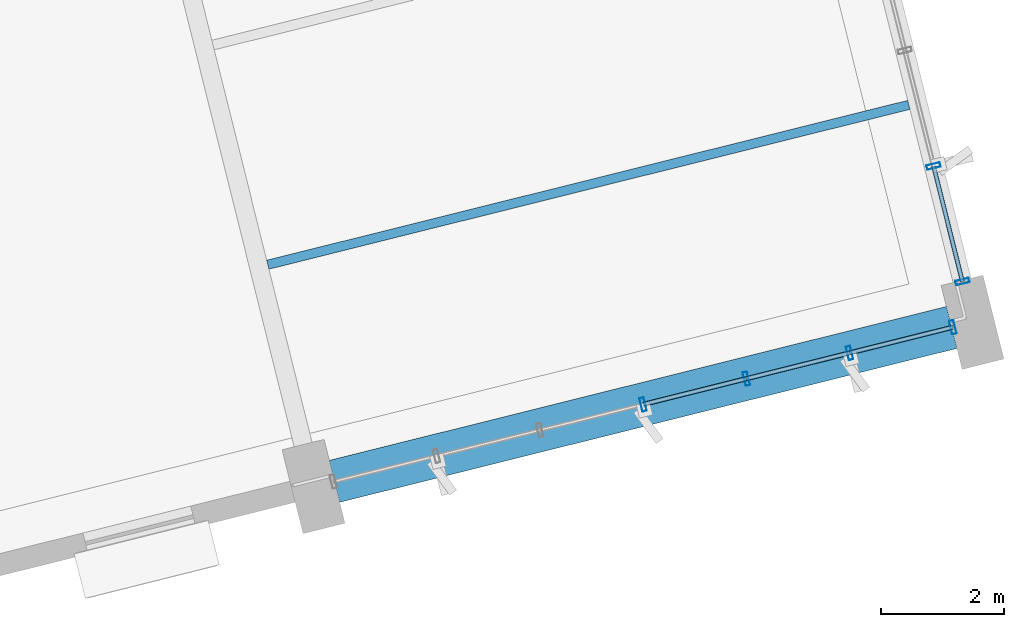
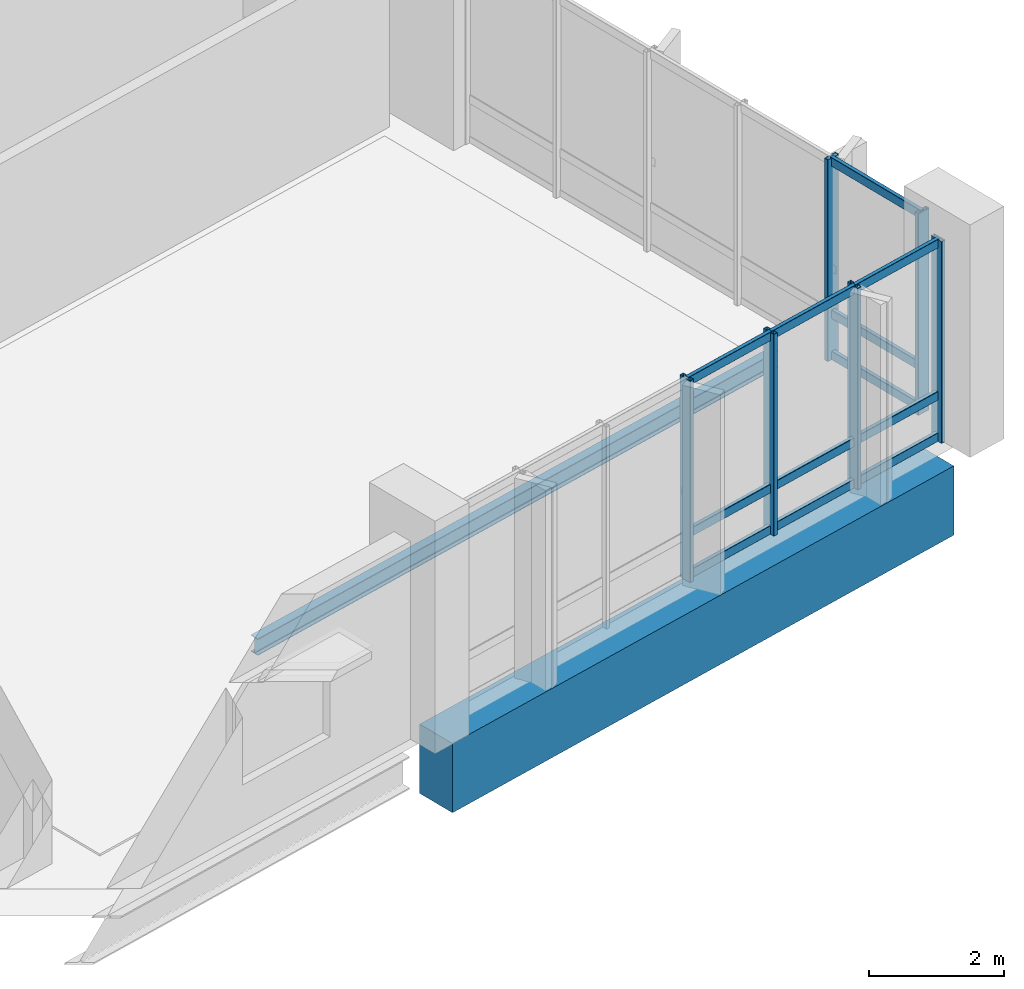
# One storey, part 10 of 22: 18 members, 2 beams, 2 elements without a shape of their own.
"""IFC4 building model written with IfcOpenShell, lengths in metres."""

from ifc_helpers import new_model, si_unit, direction, frame, origin, origin_2d, place, context, subcontext, project, spatial, rectangle, hollow_rectangle, i_section, extrude, material, layer, layer_set, material_profile, profile_set, type_object, element, aggregate, save


model = new_model("IFC4")

# Units and contexts
model_context = context("Model", 3, precision=1e-05, world=origin(), true_north=direction((0.0, 1.0)))
body_context = subcontext(model_context, "Body", "Model", "MODEL_VIEW")
ifc_project = project(units=[si_unit("LENGTHUNIT", "METRE"), si_unit("AREAUNIT", "SQUARE_METRE"), si_unit("VOLUMEUNIT", "CUBIC_METRE"), si_unit("PLANEANGLEUNIT", "RADIAN"), si_unit("MASSUNIT", "GRAM", prefix="KILO")], contexts=[model_context])

# Site, building, storey
site_placement = place(None, origin())
site = spatial("IfcSite", under=ifc_project, at=site_placement, CompositionType="ELEMENT")
building_placement = place(site_placement, origin())
building = spatial("IfcBuilding", under=site, at=building_placement, Name="Khorjan Park Terminus", CompositionType="ELEMENT")
storey_placement = place(building_placement, frame((0.0, 0.0, 24.6)))
storey = spatial("IfcBuildingStorey", under=building, at=storey_placement, Name="L05", CompositionType="ELEMENT", Elevation=24.6)

# Beams
ifc_material_1 = material(Name="Concrete C40/50", Category="concrete")
ifc_material_profile_1 = material_profile(ifc_material_1, rectangle(XDim=0.7, YDim=1.25, at=origin_2d()), Name="RC 700x1250")
ifc_profile_set_1 = profile_set([ifc_material_profile_1], Name="Concrete C40/50")
beam_type_1 = type_object("IfcBeamType", Name="BM-RC700x1250", PredefinedType="BEAM", material=ifc_profile_set_1)
beam_1_placement = place(storey_placement, frame((219.701, 15.3892, -0.955), z_axis=(0.970296351811, 0.241919386702, 0.0), x_axis=(-0.241919386702, 0.970296351811, 0.0)))
element("IfcBeam", 1, at=beam_1_placement, inside=storey, type_object=beam_type_1, Name="Primary skew-grid floor girder GB-125 (L05)", PredefinedType="BEAM", context=body_context, shape_type="SweptSolid", body=[
    extrude(rectangle(XDim=0.7, YDim=1.25, at=origin_2d()), origin(), (0.0, 0.0, 1.0), 10.31),
])
ifc_material_2 = material(Name="Steel S355", Category="steel")
ifc_material_profile_2 = material_profile(ifc_material_2, i_section(OverallWidth=0.15, OverallDepth=0.3, WebThickness=0.0071, FlangeThickness=0.0107, FilletRadius=0.015, at=origin_2d()), Name="IPE 300")
ifc_profile_set_2 = profile_set([ifc_material_profile_2], Name="Steel S355")
beam_type_2 = type_object("IfcBeamType", Name="JS-IPE300", PredefinedType="JOIST", material=ifc_profile_set_2)
beam_2_placement = place(storey_placement, frame((218.6248, 18.8998, -0.48), z_axis=(0.970296784962, 0.241917649404, 0.0), x_axis=(-0.241917649404, 0.970296784962, 0.0)))
element("IfcBeam", 2, at=beam_2_placement, inside=storey, type_object=beam_type_2, Name="Secondary composite floor joist SJ-30 (L05)", PredefinedType="JOIST", context=body_context, shape_type="SweptSolid", body=[
    extrude(i_section(OverallWidth=0.15, OverallDepth=0.3, WebThickness=0.0071, FlangeThickness=0.0107, FilletRadius=0.015, at=origin_2d()), origin(), (0.0, 0.0, 1.0), 10.6999),
])

# Curtain wall, members
ifc_material_3 = material(Name="Anodized Bronze Aluminium", Category="aluminium")
ifc_layer = layer(ifc_material_3, 0.22)
ifc_layer_set = layer_set([ifc_layer], Name="Anodized Bronze Aluminium")
curtain_wall_type = type_object("IfcCurtainWallType", Name="CW-OPS-B", PredefinedType="NOTDEFINED", material=ifc_layer_set)
curtain_wall_1_placement = place(storey_placement, origin())
curtain_wall_1 = element("IfcCurtainWall", 3, at=curtain_wall_1_placement, inside=storey, type_object=curtain_wall_type, Name="Unitized curtain wall CW-B (CW-V5-S-L05-B05)", PredefinedType="NOTDEFINED")
ifc_material_profile_3 = material_profile(ifc_material_3, hollow_rectangle(XDim=0.075, YDim=0.225, WallThickness=0.005, InnerFilletRadius=0.005, OuterFilletRadius=0.01, at=origin_2d()), Name="ALM 75x225x5")
ifc_profile_set_3 = profile_set([ifc_material_profile_3], Name="Anodized Bronze Aluminium")
member_type_1 = type_object("IfcMemberType", Name="ML-ALM-225", PredefinedType="MULLION", material=ifc_profile_set_3)
member_1_placement = place(storey_placement, frame((224.703, 16.6363, -0.035), z_axis=(0.0, 0.0, 1.0), x_axis=(0.970296464407, 0.241918935098, 0.0)))
member_1 = element("IfcMember", 4, at=member_1_placement, type_object=member_type_1, Name="Curtain-wall mullion ML-22 (CW-V5-S-L05-B05-3)", PredefinedType="MULLION", context=body_context, shape_type="SweptSolid", body=[
    extrude(hollow_rectangle(XDim=0.075, YDim=0.225, WallThickness=0.005, InnerFilletRadius=0.005, OuterFilletRadius=0.01, at=origin_2d()), origin(), (0.0, 0.0, 1.0), 3.645),
])
member_2_placement = place(storey_placement, frame((226.3753, 17.0532, -0.035), z_axis=(0.0, 0.0, 1.0), x_axis=(0.970296464407, 0.241918935098, 0.0)))
member_2 = element("IfcMember", 5, at=member_2_placement, type_object=member_type_1, Name="Curtain-wall mullion ML-22 (CW-V5-S-L05-B05-4)", PredefinedType="MULLION", context=body_context, shape_type="SweptSolid", body=[
    extrude(hollow_rectangle(XDim=0.075, YDim=0.225, WallThickness=0.005, InnerFilletRadius=0.005, OuterFilletRadius=0.01, at=origin_2d()), origin(), (0.0, 0.0, 1.0), 3.645),
])
member_3_placement = place(storey_placement, frame((228.0476, 17.4702, -0.035), z_axis=(0.0, 0.0, 1.0), x_axis=(0.970296464407, 0.241918935098, 0.0)))
member_3 = element("IfcMember", 6, at=member_3_placement, type_object=member_type_1, Name="Curtain-wall mullion ML-22 (CW-V5-S-L05-B05-5)", PredefinedType="MULLION", context=body_context, shape_type="SweptSolid", body=[
    extrude(hollow_rectangle(XDim=0.075, YDim=0.225, WallThickness=0.005, InnerFilletRadius=0.005, OuterFilletRadius=0.01, at=origin_2d()), origin(), (0.0, 0.0, 1.0), 3.645),
])
member_4_placement = place(storey_placement, frame((229.7198, 17.8871, -0.035), z_axis=(0.0, 0.0, 1.0), x_axis=(0.970296464407, 0.241918935098, 0.0)))
member_4 = element("IfcMember", 7, at=member_4_placement, type_object=member_type_1, Name="Curtain-wall mullion ML-22 (CW-V5-S-L05-B05-6)", PredefinedType="MULLION", context=body_context, shape_type="SweptSolid", body=[
    extrude(hollow_rectangle(XDim=0.075, YDim=0.225, WallThickness=0.005, InnerFilletRadius=0.005, OuterFilletRadius=0.01, at=origin_2d()), origin(), (0.0, 0.0, 1.0), 3.645),
])

curtain_wall_2_placement = place(storey_placement, origin())
curtain_wall_2 = element("IfcCurtainWall", 8, at=curtain_wall_2_placement, inside=storey, type_object=curtain_wall_type, Name="Unitized curtain wall CW-B (CW-V5-E-L05-B01)", PredefinedType="NOTDEFINED")
member_5_placement = place(storey_placement, frame((229.875, 18.6267, -0.035), z_axis=(0.0, 0.0, 1.0), x_axis=(-0.241920488516, 0.9702960771, 0.0)))
member_5 = element("IfcMember", 9, at=member_5_placement, type_object=member_type_1, Name="Curtain-wall mullion ML-22 (CW-V5-E-L05-B01-0)", PredefinedType="MULLION", context=body_context, shape_type="SweptSolid", body=[
    extrude(hollow_rectangle(XDim=0.075, YDim=0.225, WallThickness=0.005, InnerFilletRadius=0.005, OuterFilletRadius=0.01, at=origin_2d()), origin(), (0.0, 0.0, 1.0), 3.645),
])
member_6_placement = place(storey_placement, frame((229.4086, 20.4974, -0.035), z_axis=(0.0, 0.0, 1.0), x_axis=(-0.241920488516, 0.9702960771, 0.0)))
member_6 = element("IfcMember", 10, at=member_6_placement, type_object=member_type_1, Name="Curtain-wall mullion ML-22 (CW-V5-E-L05-B01-1)", PredefinedType="MULLION", context=body_context, shape_type="SweptSolid", body=[
    extrude(hollow_rectangle(XDim=0.075, YDim=0.225, WallThickness=0.005, InnerFilletRadius=0.005, OuterFilletRadius=0.01, at=origin_2d()), origin(), (0.0, 0.0, 1.0), 3.645),
])

# Member
ifc_material_profile_4 = material_profile(ifc_material_3, hollow_rectangle(XDim=0.07, YDim=0.16, WallThickness=0.004, InnerFilletRadius=0.004, OuterFilletRadius=0.008, at=origin_2d()), Name="ALT 70x160x4")
ifc_profile_set_4 = profile_set([ifc_material_profile_4], Name="Anodized Bronze Aluminium")
member_type_2 = type_object("IfcMemberType", Name="TR-ALT-160", PredefinedType="USERDEFINED", material=ifc_profile_set_4)
member_7_placement = place(storey_placement, frame((224.703, 16.6363, 0.04), z_axis=(0.970302701845, 0.241893916402, 0.0), x_axis=(-0.241893916402, 0.970302701845, 0.0)))
member_7 = element("IfcMember", 11, at=member_7_placement, type_object=member_type_2, Name="Curtain-wall transom TR-16 (CW-V5-S-L05-B05-3-1)", ObjectType="TRANSOM", PredefinedType="USERDEFINED", context=body_context, shape_type="SweptSolid", body=[
    extrude(hollow_rectangle(XDim=0.07, YDim=0.16, WallThickness=0.004, InnerFilletRadius=0.004, OuterFilletRadius=0.008, at=origin_2d()), origin(), (0.0, 0.0, 1.0), 1.7235),
])

member_8_placement = place(storey_placement, frame((224.703, 16.6363, 0.786), z_axis=(0.970302701845, 0.241893916402, 0.0), x_axis=(-0.241893916402, 0.970302701845, 0.0)))
member_8 = element("IfcMember", 12, at=member_8_placement, type_object=member_type_2, Name="Curtain-wall transom TR-16 (CW-V5-S-L05-B05-3-2)", ObjectType="TRANSOM", PredefinedType="USERDEFINED", context=body_context, shape_type="SweptSolid", body=[
    extrude(hollow_rectangle(XDim=0.07, YDim=0.16, WallThickness=0.004, InnerFilletRadius=0.004, OuterFilletRadius=0.008, at=origin_2d()), origin(), (0.0, 0.0, 1.0), 1.7235),
])

member_9_placement = place(storey_placement, frame((224.703, 16.6363, 3.535), z_axis=(0.970302701845, 0.241893916402, 0.0), x_axis=(-0.241893916402, 0.970302701845, 0.0)))
member_9 = element("IfcMember", 13, at=member_9_placement, type_object=member_type_2, Name="Curtain-wall transom TR-16 (CW-V5-S-L05-B05-3-3)", ObjectType="TRANSOM", PredefinedType="USERDEFINED", context=body_context, shape_type="SweptSolid", body=[
    extrude(hollow_rectangle(XDim=0.07, YDim=0.16, WallThickness=0.004, InnerFilletRadius=0.004, OuterFilletRadius=0.008, at=origin_2d()), origin(), (0.0, 0.0, 1.0), 1.7235),
])

member_10_placement = place(storey_placement, frame((226.3753, 17.0532, 0.04), z_axis=(0.970289082125, 0.241948542275, 0.0), x_axis=(-0.241948542275, 0.970289082125, 0.0)))
member_10 = element("IfcMember", 14, at=member_10_placement, type_object=member_type_2, Name="Curtain-wall transom TR-16 (CW-V5-S-L05-B05-4-1)", ObjectType="TRANSOM", PredefinedType="USERDEFINED", context=body_context, shape_type="SweptSolid", body=[
    extrude(hollow_rectangle(XDim=0.07, YDim=0.16, WallThickness=0.004, InnerFilletRadius=0.004, OuterFilletRadius=0.008, at=origin_2d()), origin(), (0.0, 0.0, 1.0), 1.7235),
])

member_11_placement = place(storey_placement, frame((226.3753, 17.0532, 0.786), z_axis=(0.970289082125, 0.241948542275, 0.0), x_axis=(-0.241948542275, 0.970289082125, 0.0)))
member_11 = element("IfcMember", 15, at=member_11_placement, type_object=member_type_2, Name="Curtain-wall transom TR-16 (CW-V5-S-L05-B05-4-2)", ObjectType="TRANSOM", PredefinedType="USERDEFINED", context=body_context, shape_type="SweptSolid", body=[
    extrude(hollow_rectangle(XDim=0.07, YDim=0.16, WallThickness=0.004, InnerFilletRadius=0.004, OuterFilletRadius=0.008, at=origin_2d()), origin(), (0.0, 0.0, 1.0), 1.7235),
])

member_12_placement = place(storey_placement, frame((226.3753, 17.0532, 3.535), z_axis=(0.970289082125, 0.241948542275, 0.0), x_axis=(-0.241948542275, 0.970289082125, 0.0)))
member_12 = element("IfcMember", 16, at=member_12_placement, type_object=member_type_2, Name="Curtain-wall transom TR-16 (CW-V5-S-L05-B05-4-3)", ObjectType="TRANSOM", PredefinedType="USERDEFINED", context=body_context, shape_type="SweptSolid", body=[
    extrude(hollow_rectangle(XDim=0.07, YDim=0.16, WallThickness=0.004, InnerFilletRadius=0.004, OuterFilletRadius=0.008, at=origin_2d()), origin(), (0.0, 0.0, 1.0), 1.7235),
])

member_13_placement = place(storey_placement, frame((228.0476, 17.4702, 0.04), z_axis=(0.970299306534, 0.241907535518, 0.0), x_axis=(-0.241907535518, 0.970299306534, 0.0)))
member_13 = element("IfcMember", 17, at=member_13_placement, type_object=member_type_2, Name="Curtain-wall transom TR-16 (CW-V5-S-L05-B05-5-1)", ObjectType="TRANSOM", PredefinedType="USERDEFINED", context=body_context, shape_type="SweptSolid", body=[
    extrude(hollow_rectangle(XDim=0.07, YDim=0.16, WallThickness=0.004, InnerFilletRadius=0.004, OuterFilletRadius=0.008, at=origin_2d()), origin(), (0.0, 0.0, 1.0), 1.7234),
])

member_14_placement = place(storey_placement, frame((228.0476, 17.4702, 0.786), z_axis=(0.970299306534, 0.241907535518, 0.0), x_axis=(-0.241907535518, 0.970299306534, 0.0)))
member_14 = element("IfcMember", 18, at=member_14_placement, type_object=member_type_2, Name="Curtain-wall transom TR-16 (CW-V5-S-L05-B05-5-2)", ObjectType="TRANSOM", PredefinedType="USERDEFINED", context=body_context, shape_type="SweptSolid", body=[
    extrude(hollow_rectangle(XDim=0.07, YDim=0.16, WallThickness=0.004, InnerFilletRadius=0.004, OuterFilletRadius=0.008, at=origin_2d()), origin(), (0.0, 0.0, 1.0), 1.7234),
])

member_15_placement = place(storey_placement, frame((228.0476, 17.4702, 3.535), z_axis=(0.970299306534, 0.241907535518, 0.0), x_axis=(-0.241907535518, 0.970299306534, 0.0)))
member_15 = element("IfcMember", 19, at=member_15_placement, type_object=member_type_2, Name="Curtain-wall transom TR-16 (CW-V5-S-L05-B05-5-3)", ObjectType="TRANSOM", PredefinedType="USERDEFINED", context=body_context, shape_type="SweptSolid", body=[
    extrude(hollow_rectangle(XDim=0.07, YDim=0.16, WallThickness=0.004, InnerFilletRadius=0.004, OuterFilletRadius=0.008, at=origin_2d()), origin(), (0.0, 0.0, 1.0), 1.7234),
])

aggregate(curtain_wall_1, [member_1, member_2, member_3, member_4, member_7, member_8, member_9, member_10, member_11, member_12, member_13, member_14, member_15])

member_16_placement = place(storey_placement, frame((229.875, 18.6267, 0.04), z_axis=(-0.241913157049, 0.970297905, 0.0), x_axis=(-0.970297905, -0.241913157049, 0.0)))
member_16 = element("IfcMember", 20, at=member_16_placement, type_object=member_type_2, Name="Curtain-wall transom TR-16 (CW-V5-E-L05-B01-0-1)", ObjectType="TRANSOM", PredefinedType="USERDEFINED", context=body_context, shape_type="SweptSolid", body=[
    extrude(hollow_rectangle(XDim=0.07, YDim=0.16, WallThickness=0.004, InnerFilletRadius=0.004, OuterFilletRadius=0.008, at=origin_2d()), origin(), (0.0, 0.0, 1.0), 1.928),
])

member_17_placement = place(storey_placement, frame((229.875, 18.6267, 0.786), z_axis=(-0.241913157049, 0.970297905, 0.0), x_axis=(-0.970297905, -0.241913157049, 0.0)))
member_17 = element("IfcMember", 21, at=member_17_placement, type_object=member_type_2, Name="Curtain-wall transom TR-16 (CW-V5-E-L05-B01-0-2)", ObjectType="TRANSOM", PredefinedType="USERDEFINED", context=body_context, shape_type="SweptSolid", body=[
    extrude(hollow_rectangle(XDim=0.07, YDim=0.16, WallThickness=0.004, InnerFilletRadius=0.004, OuterFilletRadius=0.008, at=origin_2d()), origin(), (0.0, 0.0, 1.0), 1.928),
])

member_18_placement = place(storey_placement, frame((229.875, 18.6267, 3.535), z_axis=(-0.241913157049, 0.970297905, 0.0), x_axis=(-0.970297905, -0.241913157049, 0.0)))
member_18 = element("IfcMember", 22, at=member_18_placement, type_object=member_type_2, Name="Curtain-wall transom TR-16 (CW-V5-E-L05-B01-0-3)", ObjectType="TRANSOM", PredefinedType="USERDEFINED", context=body_context, shape_type="SweptSolid", body=[
    extrude(hollow_rectangle(XDim=0.07, YDim=0.16, WallThickness=0.004, InnerFilletRadius=0.004, OuterFilletRadius=0.008, at=origin_2d()), origin(), (0.0, 0.0, 1.0), 1.928),
])

aggregate(curtain_wall_2, [member_5, member_6, member_16, member_17, member_18])

save(model, "model.ifc")
